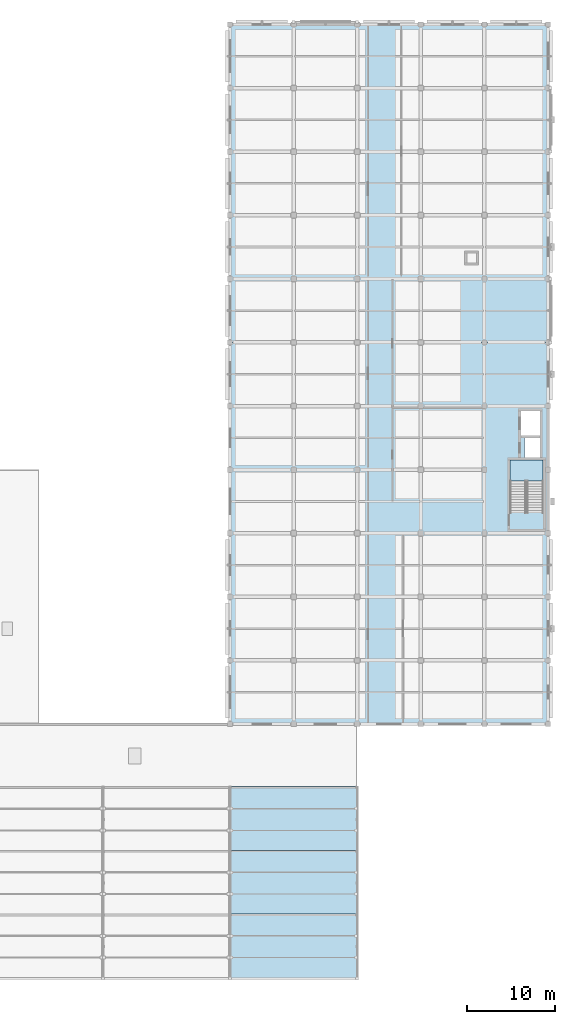
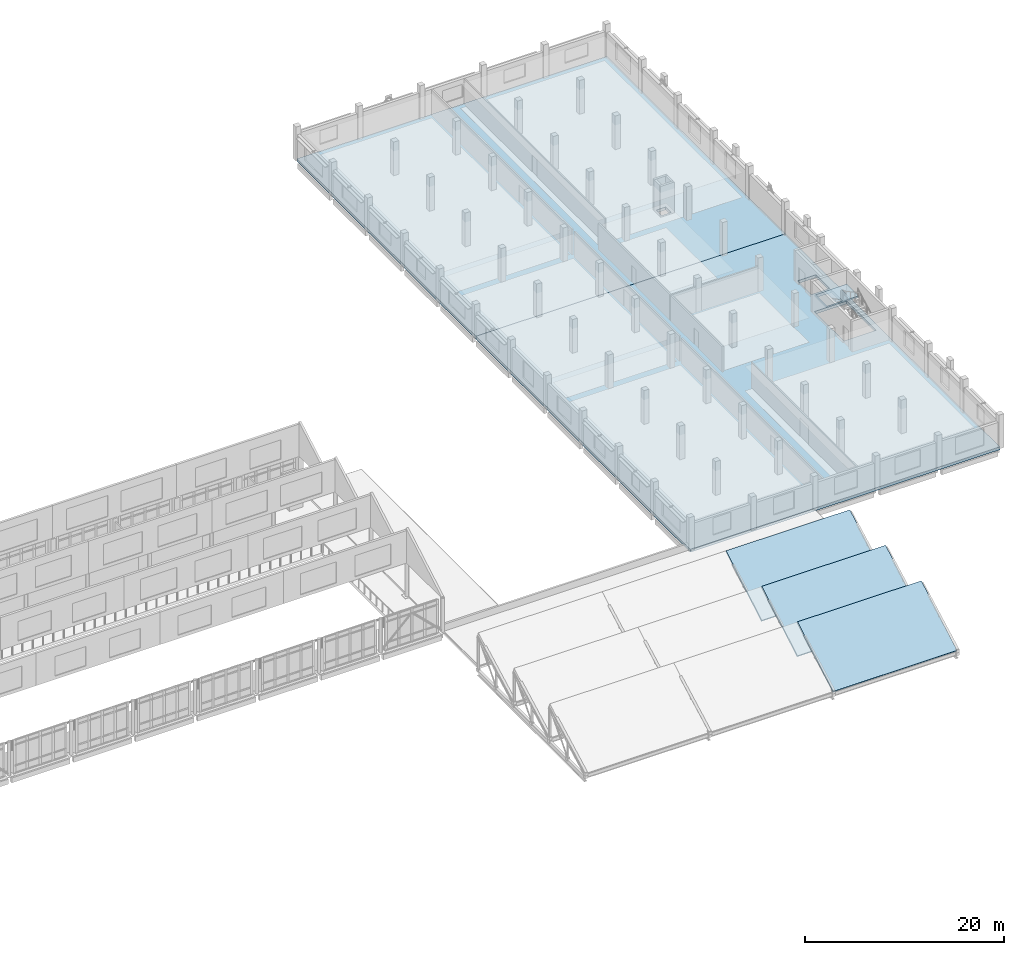
# One storey, part 35 of 62: 6 slabs, 1 element without a shape of its own.
"""IFC4 building model written with IfcOpenShell, lengths in metres."""

from ifc_helpers import new_model, si_unit, direction, frame, origin, place, context, subcontext, project, spatial, polyline, outline, extrude, material, layer, layer_set, type_object, element, aggregate, save


model = new_model("IFC4")

# Units and contexts
model_context = context("Model", 3, precision=1e-05, world=origin(), true_north=direction((0.0, 1.0)))
body_context = subcontext(model_context, "Body", "Model", "MODEL_VIEW")
ifc_project = project(units=[si_unit("LENGTHUNIT", "METRE"), si_unit("AREAUNIT", "SQUARE_METRE"), si_unit("VOLUMEUNIT", "CUBIC_METRE"), si_unit("PLANEANGLEUNIT", "RADIAN"), si_unit("MASSUNIT", "GRAM", prefix="KILO")], contexts=[model_context])

# Site, building, storey
site_placement = place(None, origin())
site = spatial("IfcSite", under=ifc_project, at=site_placement, CompositionType="ELEMENT")
building_placement = place(site_placement, origin())
building = spatial("IfcBuilding", under=site, at=building_placement, Name="Valkovuoma Quantum and Materials Research Institute", CompositionType="ELEMENT")
storey_placement = place(building_placement, frame((0.0, 0.0, 13.1201171875)))
storey = spatial("IfcBuildingStorey", under=building, at=storey_placement, Name="L03", CompositionType="ELEMENT", Elevation=13.1201171875)

# Slabs
ifc_material_1 = material(Name="Concrete C40/50", Category="concrete")
ifc_layer_1 = layer(ifc_material_1, 0.35009765625)
ifc_layer_set_1 = layer_set([ifc_layer_1], Name="Concrete C40/50")
slab_type_1 = type_object("IfcSlabType", Name="Slab-SL-FL350", PredefinedType="FLOOR", material=ifc_layer_set_1)
slab_1_placement = place(storey_placement, frame((0.0, 0.0, -0.35009765625)))
element("IfcSlab", 1, at=slab_1_placement, inside=storey, type_object=slab_type_1, Name="L03 vol4_wetlab structural slab 1", PredefinedType="FLOOR", context=body_context, shape_type="SweptSolid", body=[
    extrude(outline(polyline([(129.60009765625, 36.0), (165.60009765625, 36.0), (165.60009765625, 79.199951171875), (129.60009765625, 79.199951171875), (129.60009765625, 36.0)]), holes=[polyline([(161.300048828125, 59.9599609375), (165.050048828125, 59.9599609375), (165.050048828125, 65.89990234375), (161.300048828125, 65.89990234375), (161.300048828125, 59.9599609375)]), polyline([(162.919921875, 66.1201171875), (164.679931640625, 66.1201171875), (164.679931640625, 68.3798828125), (162.919921875, 68.3798828125), (162.919921875, 66.1201171875)]), polyline([(162.52001953125, 68.669921875), (164.679931640625, 68.669921875), (164.679931640625, 71.429931640625), (162.52001953125, 71.429931640625), (162.52001953125, 68.669921875)])]), origin(), (0.0, 0.0, 1.0), 0.35009765625),
])
slab_2_placement = place(storey_placement, frame((0.0, 0.0, -0.35009765625)))
element("IfcSlab", 2, at=slab_2_placement, inside=storey, type_object=slab_type_1, Name="L03 vol4_wetlab structural slab 2", PredefinedType="FLOOR", context=body_context, shape_type="SweptSolid", body=[
    extrude(outline(polyline([(129.60009765625, 79.199951171875), (165.60009765625, 79.199951171875), (165.60009765625, 115.199951171875), (129.60009765625, 115.199951171875), (129.60009765625, 79.199951171875)]), holes=[polyline([(156.39990234375, 88.199951171875), (157.5, 88.199951171875), (157.5, 89.300048828125), (156.39990234375, 89.300048828125), (156.39990234375, 88.199951171875)])]), origin(), (0.0, 0.0, 1.0), 0.35009765625),
])

# Stair, slab
ifc_material_2 = material(Name="Concrete C40/50", Category="concrete")
stair_type = type_object("IfcStairType", Name="Stair-ST-COR", PredefinedType="HALF_TURN_STAIR", material=ifc_material_2)
stair_placement = place(storey_placement, origin())
stair = element("IfcStair", 3, at=stair_placement, inside=storey, type_object=stair_type, Name="L03 Exit Stair ST-3", PredefinedType="HALF_TURN_STAIR")
ifc_material_3 = material(Name="Concrete C40/50", Category="concrete")
ifc_layer_2 = layer(ifc_material_3, 0.199951171875)
ifc_layer_set_2 = layer_set([ifc_layer_2], Name="Concrete C40/50")
slab_type_2 = type_object("IfcSlabType", Name="Slab-SL-LND200", PredefinedType="LANDING", material=ifc_layer_set_2)
slab_3_placement = place(storey_placement, frame((0.0, 0.0, 1.8798828125)))
slab_3 = element("IfcSlab", 4, at=slab_3_placement, type_object=slab_type_2, Name="ST-3 landing 1", PredefinedType="LANDING", context=body_context, shape_type="SweptSolid", body=[
    extrude(outline(polyline([(165.050048828125, 63.5), (165.050048828125, 65.89990234375), (161.300048828125, 65.89990234375), (161.300048828125, 63.5), (165.050048828125, 63.5)])), origin(), (0.0, 0.0, 1.0), 0.199951171875),
])
aggregate(stair, [slab_3])

# Slabs
ifc_material_4 = material(Name="Concrete C40/50", Category="concrete")
ifc_layer_3 = layer(ifc_material_4, 0.219970703125)
ifc_layer_set_3 = layer_set([ifc_layer_3], Name="Concrete C40/50")
slab_type_3 = type_object("IfcSlabType", Name="Slab-SL-RF220", PredefinedType="ROOF", material=ifc_layer_set_3)
slab_4_placement = place(storey_placement, frame((129.60009765625, 7.199951171875, 0.0), z_axis=(0.0, -0.503869204407, 0.863779963214), x_axis=(1.0, 0.0, 0.0)))
element("IfcSlab", 5, at=slab_4_placement, inside=storey, type_object=slab_type_3, Name="L03 VOL1 sawtooth sloped roof 1.3", PredefinedType="ROOF", context=body_context, shape_type="SweptSolid", body=[
    extrude(outline(polyline([(0.0, 0.0), (14.39990234375, 0.0), (14.39990234375, 8.335399613906844), (0.0, 8.335399613906844), (0.0, 0.0)])), origin(), (0.0, 0.0, -1.0), 0.219970703125),
])
slab_5_placement = place(storey_placement, frame((129.60009765625, 14.39990234375, 0.0), z_axis=(0.0, -0.503856456895, 0.863787399101), x_axis=(1.0, 0.0, 0.0)))
element("IfcSlab", 6, at=slab_5_placement, inside=storey, type_object=slab_type_3, Name="L03 VOL1 sawtooth sloped roof 2.3", PredefinedType="ROOF", context=body_context, shape_type="SweptSolid", body=[
    extrude(outline(polyline([(0.0, 0.0), (14.39990234375, 0.0), (14.39990234375, 8.335610498594638), (0.0, 8.335610498594638), (0.0, 0.0)])), origin(), (0.0, 0.0, -1.0), 0.219970703125),
])
slab_6_placement = place(storey_placement, frame((129.60009765625, 21.60009765625, 0.0), z_axis=(0.0, -0.503869204407, 0.863779963214), x_axis=(1.0, 0.0, 0.0)))
element("IfcSlab", 7, at=slab_6_placement, inside=storey, type_object=slab_type_3, Name="L03 VOL1 sawtooth sloped roof 3.3", PredefinedType="ROOF", context=body_context, shape_type="SweptSolid", body=[
    extrude(outline(polyline([(0.0, 0.0), (14.39990234375, 0.0), (14.39990234375, 8.335399613906844), (0.0, 8.335399613906844), (0.0, 0.0)])), origin(), (0.0, 0.0, -1.0), 0.219970703125),
])

save(model, "model.ifc")
